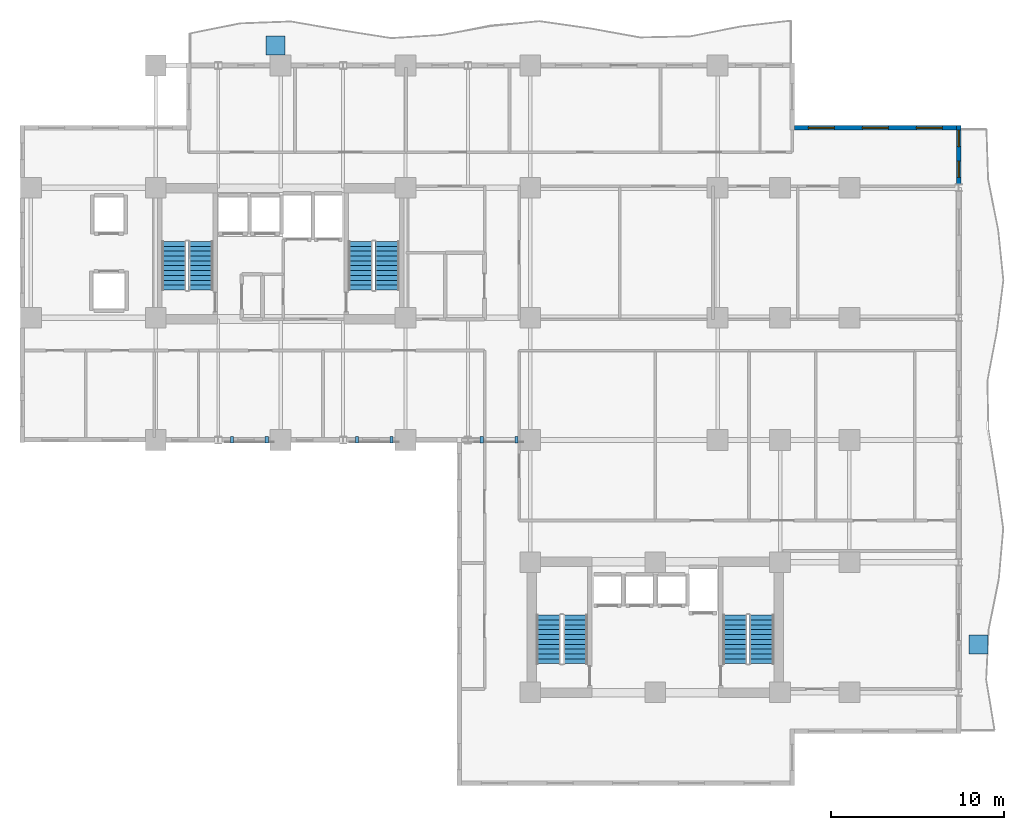
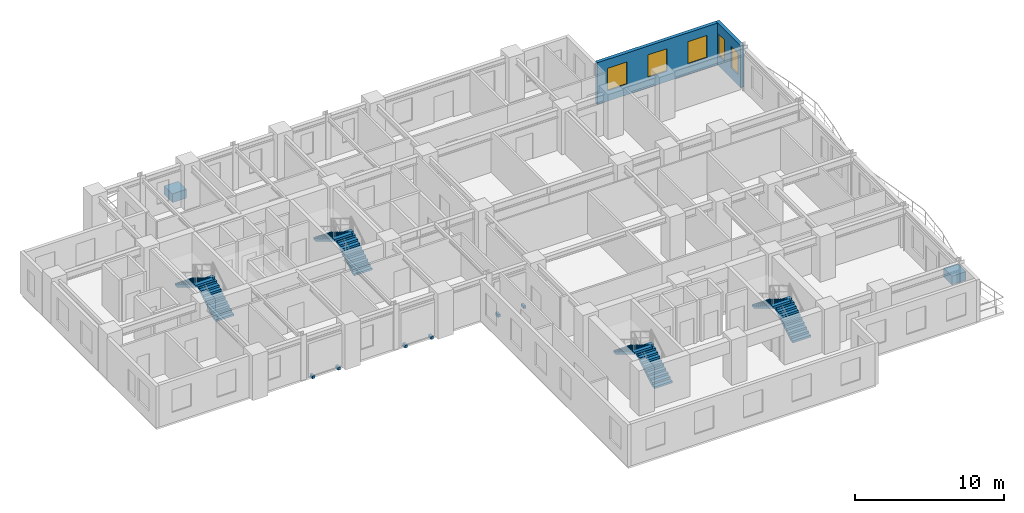
# One storey, part 8 of 11: 8 discrete accessories, 8 stair flights, 5 windows, 2 walls, 5 openings, 4 elements without a shape of their own.
"""IFC4 building model written with IfcOpenShell, lengths in metres."""

from ifc_helpers import new_model, si_unit, direction, frame, frame_2d, origin, origin_2d, place, context, subcontext, project, spatial, polyline, rectangle, outline, extrude, source, transform, mapped, material, layer, layer_set, type_object, element, fill, aggregate, save


model = new_model("IFC4")

# Units and contexts
model_context = context("Model", 3, precision=1e-05, world=origin(), true_north=direction((0.0, 1.0)))
body_context = subcontext(model_context, "Body", "Model", "MODEL_VIEW")
ifc_project = project(units=[si_unit("LENGTHUNIT", "METRE"), si_unit("AREAUNIT", "SQUARE_METRE"), si_unit("VOLUMEUNIT", "CUBIC_METRE"), si_unit("PLANEANGLEUNIT", "RADIAN"), si_unit("MASSUNIT", "GRAM", prefix="KILO")], contexts=[model_context])

# Site, building, storey
site_placement = place(None, origin())
site = spatial("IfcSite", under=ifc_project, at=site_placement, CompositionType="ELEMENT")
building_placement = place(site_placement, origin())
building = spatial("IfcBuilding", under=site, at=building_placement, Name="Kaliganga Portal Commons", CompositionType="ELEMENT")
storey_placement = place(building_placement, frame((0.0, 0.0, 111.89990234375)))
storey = spatial("IfcBuildingStorey", under=building, at=storey_placement, Name="L28", CompositionType="ELEMENT", Elevation=111.89990234375)

# Wall, openings, windows
ifc_material_1 = material(Name="Insulated Aluminium-Clad Spandrel Assembly", Category="aluminium")
ifc_layer = layer(ifc_material_1, 0.260009765625)
ifc_layer_set = layer_set([ifc_layer], Name="Insulated Aluminium-Clad Spandrel Assembly")
wall_type = type_object("IfcWallType", Name="WL-EXT-SPAND-260", PredefinedType="STANDARD", material=ifc_layer_set)
wall_1_placement = place(storey_placement, frame((60.699951171875, 39.72998046875, 0.0), z_axis=(0.0, 0.0, 1.0), x_axis=(0.0, -1.0, 0.0)))
wall_1 = element("IfcWall", 1, at=wall_1_placement, inside=storey, type_object=wall_type, Name="Exterior Envelope Wall L28 P1-E03-S6", PredefinedType="STANDARD", context=body_context, shape_type="SweptSolid", body=[
    extrude(rectangle(XDim=3.364013671875, YDim=0.260009765625, at=frame_2d((1.68212890625, 0.0))), origin(), (0.0, 0.0, 1.0), 3.43017578125),
])
opening_1_placement = place(wall_1_placement, frame((2.041259765625, 0.0, 0.85009765625)))
opening_1 = element("IfcOpeningElement", 2, at=opening_1_placement, cuts=wall_1, Name="Opening W-04", PredefinedType="OPENING", context=body_context, shape_type="SweptSolid", body=[
    extrude(rectangle(XDim=0.949951171875, YDim=1.75, at=frame_2d((0.47509765625, 0.875))), frame((0.0, 0.14013671875, 0.0), z_axis=(0.0, -1.0, 0.0), x_axis=(1.0, 0.0, 0.0)), (0.0, 0.0, 1.0), 0.280029296875),
])
opening_2_placement = place(wall_1_placement, frame((0.26513671875, 0.0, 0.85009765625)))
opening_2 = element("IfcOpeningElement", 3, at=opening_2_placement, cuts=wall_1, Name="Opening W-04", PredefinedType="OPENING", context=body_context, shape_type="SweptSolid", body=[
    extrude(rectangle(XDim=0.949951171875, YDim=1.75, at=frame_2d((0.47509765625, 0.875))), frame((0.0, 0.14013671875, 0.0), z_axis=(0.0, -1.0, 0.0), x_axis=(1.0, 0.0, 0.0)), (0.0, 0.0, 1.0), 0.280029296875),
])
ifc_material_2 = material(Name="Thermally Broken Aluminium and Low-E Double Glazing", Category="aluminium")
window_type_1 = type_object("IfcWindowType", Name="WIN-NARROW-950", PartitioningType="SINGLE_PANEL", PredefinedType="WINDOW", material=ifc_material_2)
window_1_placement = place(opening_1_placement, origin())
window_1 = element("IfcWindow", 4, at=window_1_placement, inside=storey, type_object=window_type_1, Name="Facade Window L28-P1E03S6-N2", OverallHeight=1.75, OverallWidth=0.949951171875, PartitioningType="SINGLE_PANEL", PredefinedType="WINDOW", context=body_context, shape_type="SweptSolid", body=[
    extrude(rectangle(XDim=0.949951171875, YDim=1.75, at=frame_2d((0.47509765625, 0.875))), frame((0.0, 0.030029296875, 0.0), z_axis=(0.0, -1.0, 0.0), x_axis=(1.0, 0.0, 0.0)), (0.0, 0.0, 1.0), 0.06005859375),
])
fill(opening_1, window_1)
window_2_placement = place(opening_2_placement, origin())
window_2 = element("IfcWindow", 5, at=window_2_placement, inside=storey, type_object=window_type_1, Name="Facade Window L28-P1E03S6-N9", OverallHeight=1.75, OverallWidth=0.949951171875, PartitioningType="SINGLE_PANEL", PredefinedType="WINDOW", context=body_context, shape_type="SweptSolid", body=[
    extrude(rectangle(XDim=0.949951171875, YDim=1.75, at=frame_2d((0.47509765625, 0.875))), frame((0.0, 0.030029296875, 0.0), z_axis=(0.0, -1.0, 0.0), x_axis=(1.0, 0.0, 0.0)), (0.0, 0.0, 1.0), 0.06005859375),
])
fill(opening_2, window_2)

wall_2_placement = place(storey_placement, frame((51.235107421875, 39.60009765625, 0.0), z_axis=(0.0, 0.0, 1.0), x_axis=(1.0, 0.0, 0.0)))
wall_2 = element("IfcWall", 6, at=wall_2_placement, inside=storey, type_object=wall_type, Name="Exterior Envelope Wall L28 P1-E04-S1", PredefinedType="STANDARD", context=body_context, shape_type="SweptSolid", body=[
    extrude(rectangle(XDim=9.329833984375, YDim=0.260009765625, at=frame_2d((4.6650390625, 0.0))), origin(), (0.0, 0.0, 1.0), 3.43017578125),
])
opening_3_placement = place(wall_2_placement, frame((0.804931640625, 0.0, 0.85009765625)))
opening_3 = element("IfcOpeningElement", 7, at=opening_3_placement, cuts=wall_2, Name="Opening W-02", PredefinedType="OPENING", context=body_context, shape_type="SweptSolid", body=[
    extrude(rectangle(XDim=1.5, YDim=1.85009765625, at=frame_2d((0.75, 0.925048828125))), frame((0.0, 0.14013671875, 0.0), z_axis=(0.0, -1.0, 0.0), x_axis=(1.0, 0.0, 0.0)), (0.0, 0.0, 1.0), 0.280029296875),
])
opening_4_placement = place(wall_2_placement, frame((3.9150390625, 0.0, 0.85009765625)))
opening_4 = element("IfcOpeningElement", 8, at=opening_4_placement, cuts=wall_2, Name="Opening W-02", PredefinedType="OPENING", context=body_context, shape_type="SweptSolid", body=[
    extrude(rectangle(XDim=1.5, YDim=1.85009765625, at=frame_2d((0.75, 0.925048828125))), frame((0.0, 0.14013671875, 0.0), z_axis=(0.0, -1.0, 0.0), x_axis=(1.0, 0.0, 0.0)), (0.0, 0.0, 1.0), 0.280029296875),
])
opening_5_placement = place(wall_2_placement, frame((7.02490234375, 0.0, 0.85009765625)))
opening_5 = element("IfcOpeningElement", 9, at=opening_5_placement, cuts=wall_2, Name="Opening W-02", PredefinedType="OPENING", context=body_context, shape_type="SweptSolid", body=[
    extrude(rectangle(XDim=1.5, YDim=1.85009765625, at=frame_2d((0.75, 0.925048828125))), frame((0.0, 0.14013671875, 0.0), z_axis=(0.0, -1.0, 0.0), x_axis=(1.0, 0.0, 0.0)), (0.0, 0.0, 1.0), 0.280029296875),
])
window_type_2 = type_object("IfcWindowType", Name="WIN-STD-1500", PartitioningType="DOUBLE_PANEL_VERTICAL", PredefinedType="WINDOW", material=ifc_material_2)
window_3_placement = place(opening_3_placement, origin())
window_3 = element("IfcWindow", 10, at=window_3_placement, inside=storey, type_object=window_type_2, Name="Facade Window L28-P1E04S1-00", OverallHeight=1.85009765625, OverallWidth=1.5, PartitioningType="SINGLE_PANEL", PredefinedType="WINDOW", context=body_context, shape_type="SweptSolid", body=[
    extrude(rectangle(XDim=1.5, YDim=1.85009765625, at=frame_2d((0.75, 0.925048828125))), frame((0.0, 0.030029296875, 0.0), z_axis=(0.0, -1.0, 0.0), x_axis=(1.0, 0.0, 0.0)), (0.0, 0.0, 1.0), 0.06005859375),
])
fill(opening_3, window_3)
window_4_placement = place(opening_4_placement, origin())
window_4 = element("IfcWindow", 11, at=window_4_placement, inside=storey, type_object=window_type_2, Name="Facade Window L28-P1E04S1-01", OverallHeight=1.85009765625, OverallWidth=1.5, PartitioningType="SINGLE_PANEL", PredefinedType="WINDOW", context=body_context, shape_type="SweptSolid", body=[
    extrude(rectangle(XDim=1.5, YDim=1.85009765625, at=frame_2d((0.75, 0.925048828125))), frame((0.0, 0.030029296875, 0.0), z_axis=(0.0, -1.0, 0.0), x_axis=(1.0, 0.0, 0.0)), (0.0, 0.0, 1.0), 0.06005859375),
])
fill(opening_4, window_4)
window_5_placement = place(opening_5_placement, origin())
window_5 = element("IfcWindow", 12, at=window_5_placement, inside=storey, type_object=window_type_2, Name="Facade Window L28-P1E04S1-02", OverallHeight=1.85009765625, OverallWidth=1.5, PartitioningType="SINGLE_PANEL", PredefinedType="WINDOW", context=body_context, shape_type="SweptSolid", body=[
    extrude(rectangle(XDim=1.5, YDim=1.85009765625, at=frame_2d((0.75, 0.925048828125))), frame((0.0, 0.030029296875, 0.0), z_axis=(0.0, -1.0, 0.0), x_axis=(1.0, 0.0, 0.0)), (0.0, 0.0, 1.0), 0.06005859375),
])
fill(opening_5, window_5)

# Stair, stair flights
ifc_material_3 = material(Name="Concrete C40/50", Category="concrete")
stair_type = type_object("IfcStairType", Name="ST-CORE-DOGLEG", PredefinedType="HALF_TURN_STAIR", material=ifc_material_3)
stair_1_placement = place(storey_placement, origin())
stair_1 = element("IfcStair", 13, at=stair_1_placement, inside=storey, type_object=stair_type, Name="L28 Protected Exit Stair ST-A1", PredefinedType="HALF_TURN_STAIR")
stair_flight_type = type_object("IfcStairFlightType", Name="STF-RC-1400", PredefinedType="STRAIGHT", material=ifc_material_3)
stair_flight_1_placement = place(storey_placement, frame((17.0, 30.25, 0.0), z_axis=(0.0, 0.0, 1.0), x_axis=(0.0, 1.0, 0.0)))
stair_flight_1 = element("IfcStairFlight", 14, at=stair_flight_1_placement, type_object=stair_flight_type, Name="ST-A1 flight 1", NumberOfRisers=11, NumberOfTreads=10, PredefinedType="STRAIGHT", RiserHeight=0.168181818, TreadLength=0.28, context=body_context, shape_type="SweptSolid", body=[
    extrude(outline(polyline([(0.0, 0.0), (0.0, 0.168212890625), (0.280029296875, 0.168212890625), (0.280029296875, 0.33642578125), (0.56005859375, 0.33642578125), (0.56005859375, 0.504638671875), (0.840087890625, 0.504638671875), (0.840087890625, 0.672607421875), (1.1201171875, 0.672607421875), (1.1201171875, 0.8408203125), (1.39990234375, 0.8408203125), (1.39990234375, 1.009033203125), (1.679931640625, 1.009033203125), (1.679931640625, 1.17724609375), (1.9599609375, 1.17724609375), (1.9599609375, 1.345458984375), (2.239990234375, 1.345458984375), (2.239990234375, 1.513671875), (2.52001953125, 1.513671875), (2.52001953125, 1.681884765625), (2.800048828125, 1.681884765625), (2.800048828125, 1.85009765625), (2.800048828125, 1.5068359375), (0.291015625, 0.0), (0.0, 0.0)])), frame((0.0, 0.699951171875, 0.0), z_axis=(0.0, -1.0, 0.0), x_axis=(1.0, 0.0, 0.0)), (0.0, 0.0, 1.0), 1.39990234375),
])
stair_flight_2_placement = place(storey_placement, frame((15.449951171875, 33.050048828125, 1.85009765625), z_axis=(0.0, 0.0, 1.0), x_axis=(0.0, -1.0, 0.0)))
stair_flight_2 = element("IfcStairFlight", 15, at=stair_flight_2_placement, type_object=stair_flight_type, Name="ST-A1 flight 2", NumberOfRisers=11, NumberOfTreads=10, PredefinedType="STRAIGHT", RiserHeight=0.168181818, TreadLength=0.28, context=body_context, shape_type="SweptSolid", body=[
    extrude(outline(polyline([(0.0, 0.0), (0.0, 0.168212890625), (0.280029296875, 0.168212890625), (0.280029296875, 0.33642578125), (0.56005859375, 0.33642578125), (0.56005859375, 0.504638671875), (0.840087890625, 0.504638671875), (0.840087890625, 0.672607421875), (1.1201171875, 0.672607421875), (1.1201171875, 0.8408203125), (1.39990234375, 0.8408203125), (1.39990234375, 1.009033203125), (1.679931640625, 1.009033203125), (1.679931640625, 1.17724609375), (1.9599609375, 1.17724609375), (1.9599609375, 1.345458984375), (2.239990234375, 1.345458984375), (2.239990234375, 1.513671875), (2.52001953125, 1.513671875), (2.52001953125, 1.681884765625), (2.800048828125, 1.681884765625), (2.800048828125, 1.85009765625), (2.800048828125, 1.5068359375), (0.291015625, 0.0), (0.0, 0.0)])), frame((0.0, 0.699951171875, 0.0), z_axis=(0.0, -1.0, 0.0), x_axis=(1.0, 0.0, 0.0)), (0.0, 0.0, 1.0), 1.39990234375),
])
aggregate(stair_1, [stair_flight_1, stair_flight_2])

stair_2_placement = place(storey_placement, origin())
stair_2 = element("IfcStair", 16, at=stair_2_placement, inside=storey, type_object=stair_type, Name="L28 Protected Exit Stair ST-A2", PredefinedType="HALF_TURN_STAIR")
stair_flight_3_placement = place(storey_placement, frame((27.75, 30.25, 0.0), z_axis=(0.0, 0.0, 1.0), x_axis=(0.0, 1.0, 0.0)))
stair_flight_3 = element("IfcStairFlight", 17, at=stair_flight_3_placement, type_object=stair_flight_type, Name="ST-A2 flight 1", NumberOfRisers=11, NumberOfTreads=10, PredefinedType="STRAIGHT", RiserHeight=0.168181818, TreadLength=0.28, context=body_context, shape_type="SweptSolid", body=[
    extrude(outline(polyline([(0.0, 0.0), (0.0, 0.168212890625), (0.280029296875, 0.168212890625), (0.280029296875, 0.33642578125), (0.56005859375, 0.33642578125), (0.56005859375, 0.504638671875), (0.840087890625, 0.504638671875), (0.840087890625, 0.672607421875), (1.1201171875, 0.672607421875), (1.1201171875, 0.8408203125), (1.39990234375, 0.8408203125), (1.39990234375, 1.009033203125), (1.679931640625, 1.009033203125), (1.679931640625, 1.17724609375), (1.9599609375, 1.17724609375), (1.9599609375, 1.345458984375), (2.239990234375, 1.345458984375), (2.239990234375, 1.513671875), (2.52001953125, 1.513671875), (2.52001953125, 1.681884765625), (2.800048828125, 1.681884765625), (2.800048828125, 1.85009765625), (2.800048828125, 1.5068359375), (0.291015625, 0.0), (0.0, 0.0)])), frame((0.0, 0.699951171875, 0.0), z_axis=(0.0, -1.0, 0.0), x_axis=(1.0, 0.0, 0.0)), (0.0, 0.0, 1.0), 1.39990234375),
])
stair_flight_4_placement = place(storey_placement, frame((26.199951171875, 33.050048828125, 1.85009765625), z_axis=(0.0, 0.0, 1.0), x_axis=(0.0, -1.0, 0.0)))
stair_flight_4 = element("IfcStairFlight", 18, at=stair_flight_4_placement, type_object=stair_flight_type, Name="ST-A2 flight 2", NumberOfRisers=11, NumberOfTreads=10, PredefinedType="STRAIGHT", RiserHeight=0.168181818, TreadLength=0.28, context=body_context, shape_type="SweptSolid", body=[
    extrude(outline(polyline([(0.0, 0.0), (0.0, 0.168212890625), (0.280029296875, 0.168212890625), (0.280029296875, 0.33642578125), (0.56005859375, 0.33642578125), (0.56005859375, 0.504638671875), (0.840087890625, 0.504638671875), (0.840087890625, 0.672607421875), (1.1201171875, 0.672607421875), (1.1201171875, 0.8408203125), (1.39990234375, 0.8408203125), (1.39990234375, 1.009033203125), (1.679931640625, 1.009033203125), (1.679931640625, 1.17724609375), (1.9599609375, 1.17724609375), (1.9599609375, 1.345458984375), (2.239990234375, 1.345458984375), (2.239990234375, 1.513671875), (2.52001953125, 1.513671875), (2.52001953125, 1.681884765625), (2.800048828125, 1.681884765625), (2.800048828125, 1.85009765625), (2.800048828125, 1.5068359375), (0.291015625, 0.0), (0.0, 0.0)])), frame((0.0, 0.699951171875, 0.0), z_axis=(0.0, -1.0, 0.0), x_axis=(1.0, 0.0, 0.0)), (0.0, 0.0, 1.0), 1.39990234375),
])
aggregate(stair_2, [stair_flight_3, stair_flight_4])

stair_3_placement = place(storey_placement, origin())
stair_3 = element("IfcStair", 19, at=stair_3_placement, inside=storey, type_object=stair_type, Name="L28 Protected Exit Stair ST-B1", PredefinedType="HALF_TURN_STAIR")
stair_flight_5_placement = place(storey_placement, frame((38.60009765625, 8.699951171875, 0.0), z_axis=(0.0, 0.0, 1.0), x_axis=(0.0, 1.0, 0.0)))
stair_flight_5 = element("IfcStairFlight", 20, at=stair_flight_5_placement, type_object=stair_flight_type, Name="ST-B1 flight 1", NumberOfRisers=11, NumberOfTreads=10, PredefinedType="STRAIGHT", RiserHeight=0.168181818, TreadLength=0.28, context=body_context, shape_type="SweptSolid", body=[
    extrude(outline(polyline([(0.0, 0.0), (0.0, 0.168212890625), (0.280029296875, 0.168212890625), (0.280029296875, 0.33642578125), (0.56005859375, 0.33642578125), (0.56005859375, 0.504638671875), (0.840087890625, 0.504638671875), (0.840087890625, 0.672607421875), (1.1201171875, 0.672607421875), (1.1201171875, 0.8408203125), (1.39990234375, 0.8408203125), (1.39990234375, 1.009033203125), (1.679931640625, 1.009033203125), (1.679931640625, 1.17724609375), (1.9599609375, 1.17724609375), (1.9599609375, 1.345458984375), (2.239990234375, 1.345458984375), (2.239990234375, 1.513671875), (2.52001953125, 1.513671875), (2.52001953125, 1.681884765625), (2.800048828125, 1.681884765625), (2.800048828125, 1.85009765625), (2.800048828125, 1.5068359375), (0.291015625, 0.0), (0.0, 0.0)])), frame((0.0, 0.699951171875, 0.0), z_axis=(0.0, -1.0, 0.0), x_axis=(1.0, 0.0, 0.0)), (0.0, 0.0, 1.0), 1.39990234375),
])
stair_flight_6_placement = place(storey_placement, frame((37.050048828125, 11.5, 1.85009765625), z_axis=(0.0, 0.0, 1.0), x_axis=(0.0, -1.0, 0.0)))
stair_flight_6 = element("IfcStairFlight", 21, at=stair_flight_6_placement, type_object=stair_flight_type, Name="ST-B1 flight 2", NumberOfRisers=11, NumberOfTreads=10, PredefinedType="STRAIGHT", RiserHeight=0.168181818, TreadLength=0.28, context=body_context, shape_type="SweptSolid", body=[
    extrude(outline(polyline([(0.0, 0.0), (0.0, 0.168212890625), (0.280029296875, 0.168212890625), (0.280029296875, 0.33642578125), (0.56005859375, 0.33642578125), (0.56005859375, 0.504638671875), (0.840087890625, 0.504638671875), (0.840087890625, 0.672607421875), (1.1201171875, 0.672607421875), (1.1201171875, 0.8408203125), (1.39990234375, 0.8408203125), (1.39990234375, 1.009033203125), (1.679931640625, 1.009033203125), (1.679931640625, 1.17724609375), (1.9599609375, 1.17724609375), (1.9599609375, 1.345458984375), (2.239990234375, 1.345458984375), (2.239990234375, 1.513671875), (2.52001953125, 1.513671875), (2.52001953125, 1.681884765625), (2.800048828125, 1.681884765625), (2.800048828125, 1.85009765625), (2.800048828125, 1.5068359375), (0.291015625, 0.0), (0.0, 0.0)])), frame((0.0, 0.699951171875, 0.0), z_axis=(0.0, -1.0, 0.0), x_axis=(1.0, 0.0, 0.0)), (0.0, 0.0, 1.0), 1.39990234375),
])
aggregate(stair_3, [stair_flight_5, stair_flight_6])

stair_4_placement = place(storey_placement, origin())
stair_4 = element("IfcStair", 22, at=stair_4_placement, inside=storey, type_object=stair_type, Name="L28 Protected Exit Stair ST-B2", PredefinedType="HALF_TURN_STAIR")
stair_flight_7_placement = place(storey_placement, frame((49.35009765625, 8.699951171875, 0.0), z_axis=(0.0, 0.0, 1.0), x_axis=(0.0, 1.0, 0.0)))
stair_flight_7 = element("IfcStairFlight", 23, at=stair_flight_7_placement, type_object=stair_flight_type, Name="ST-B2 flight 1", NumberOfRisers=11, NumberOfTreads=10, PredefinedType="STRAIGHT", RiserHeight=0.168181818, TreadLength=0.28, context=body_context, shape_type="SweptSolid", body=[
    extrude(outline(polyline([(0.0, 0.0), (0.0, 0.168212890625), (0.280029296875, 0.168212890625), (0.280029296875, 0.33642578125), (0.56005859375, 0.33642578125), (0.56005859375, 0.504638671875), (0.840087890625, 0.504638671875), (0.840087890625, 0.672607421875), (1.1201171875, 0.672607421875), (1.1201171875, 0.8408203125), (1.39990234375, 0.8408203125), (1.39990234375, 1.009033203125), (1.679931640625, 1.009033203125), (1.679931640625, 1.17724609375), (1.9599609375, 1.17724609375), (1.9599609375, 1.345458984375), (2.239990234375, 1.345458984375), (2.239990234375, 1.513671875), (2.52001953125, 1.513671875), (2.52001953125, 1.681884765625), (2.800048828125, 1.681884765625), (2.800048828125, 1.85009765625), (2.800048828125, 1.5068359375), (0.291015625, 0.0), (0.0, 0.0)])), frame((0.0, 0.699951171875, 0.0), z_axis=(0.0, -1.0, 0.0), x_axis=(1.0, 0.0, 0.0)), (0.0, 0.0, 1.0), 1.39990234375),
])
stair_flight_8_placement = place(storey_placement, frame((47.800048828125, 11.5, 1.85009765625), z_axis=(0.0, 0.0, 1.0), x_axis=(0.0, -1.0, 0.0)))
stair_flight_8 = element("IfcStairFlight", 24, at=stair_flight_8_placement, type_object=stair_flight_type, Name="ST-B2 flight 2", NumberOfRisers=11, NumberOfTreads=10, PredefinedType="STRAIGHT", RiserHeight=0.168181818, TreadLength=0.28, context=body_context, shape_type="SweptSolid", body=[
    extrude(outline(polyline([(0.0, 0.0), (0.0, 0.168212890625), (0.280029296875, 0.168212890625), (0.280029296875, 0.33642578125), (0.56005859375, 0.33642578125), (0.56005859375, 0.504638671875), (0.840087890625, 0.504638671875), (0.840087890625, 0.672607421875), (1.1201171875, 0.672607421875), (1.1201171875, 0.8408203125), (1.39990234375, 0.8408203125), (1.39990234375, 1.009033203125), (1.679931640625, 1.009033203125), (1.679931640625, 1.17724609375), (1.9599609375, 1.17724609375), (1.9599609375, 1.345458984375), (2.239990234375, 1.345458984375), (2.239990234375, 1.513671875), (2.52001953125, 1.513671875), (2.52001953125, 1.681884765625), (2.800048828125, 1.681884765625), (2.800048828125, 1.85009765625), (2.800048828125, 1.5068359375), (0.291015625, 0.0), (0.0, 0.0)])), frame((0.0, 0.699951171875, 0.0), z_axis=(0.0, -1.0, 0.0), x_axis=(1.0, 0.0, 0.0)), (0.0, 0.0, 1.0), 1.39990234375),
])
aggregate(stair_4, [stair_flight_7, stair_flight_8])

# Discrete accessories
ifc_material_4 = material(Name="Precast concrete C40/50", Category="concrete")
discrete_accessory_type_1 = type_object("IfcDiscreteAccessoryType", Name="DAC-PLANTER-RC", PredefinedType="USERDEFINED", material=ifc_material_4)
shared_shape_1 = source(origin(), body_context, "Body", "SweptSolid", [
    extrude(rectangle(XDim=1.10009765625, YDim=1.10009765625, at=origin_2d()), origin(), (0.0, 0.0, 1.0), 0.719970703125),
])
for number, where, z_axis, x_axis, name in (
    (25, (21.300048828125, 44.35009765625, 0.0), (0.0, 0.0, 1.0), (1.0, 0.0, 0.0), "Structural Tree Planter L28 balc_north"),
    (26, (61.85009765625, 9.800048828125, 0.0), (0.0, 0.0, 1.0), (1.0, 0.0, 0.0), "Structural Tree Planter L28 balc_east"),
):
    element("IfcDiscreteAccessory", number, at=place(storey_placement, frame(where, z_axis=z_axis, x_axis=x_axis)), inside=storey, type_object=discrete_accessory_type_1, Name=name, ObjectType="PLANTER", PredefinedType="USERDEFINED", context=body_context, shape_type="MappedRepresentation", body=[
        mapped(shared_shape_1, transform((0.0, 0.0, 0.0), x_axis=(1.0, 0.0, 0.0), y_axis=(0.0, 1.0, 0.0), z_axis=(0.0, 0.0, 1.0), scale=1.0)),
    ])
ifc_material_5 = material(Name="Structural steel S355J2", Category="steel")
discrete_accessory_type_2 = type_object("IfcDiscreteAccessoryType", Name="DAC-BRK-SCR", PredefinedType="BRACKET", material=ifc_material_5)
shared_shape_2 = source(origin(), body_context, "Body", "SweptSolid", [
    extrude(rectangle(XDim=0.179931640625, YDim=0.360107421875, at=origin_2d()), origin(), (0.0, 0.0, 1.0), 0.219970703125),
])
for number, where, z_axis, x_axis, name in (
    (27, (18.800048828125, 21.6201171875, -0.18994140625), (0.0, 0.0, 1.0), (1.0, 0.0, 0.0), "Solar Screen Outrigger Bracket L28-S1-1"),
    (28, (20.800048828125, 21.6201171875, -0.18994140625), (0.0, 0.0, 1.0), (1.0, 0.0, 0.0), "Solar Screen Outrigger Bracket L28-S1-2"),
    (29, (26.0, 21.6201171875, -0.18994140625), (0.0, 0.0, 1.0), (1.0, 0.0, 0.0), "Solar Screen Outrigger Bracket L28-S2-1"),
    (30, (28.0, 21.6201171875, -0.18994140625), (0.0, 0.0, 1.0), (1.0, 0.0, 0.0), "Solar Screen Outrigger Bracket L28-S2-2"),
    (31, (33.199951171875, 21.6201171875, -0.18994140625), (0.0, 0.0, 1.0), (1.0, 0.0, 0.0), "Solar Screen Outrigger Bracket L28-S3-1"),
    (32, (35.199951171875, 21.6201171875, -0.18994140625), (0.0, 0.0, 1.0), (1.0, 0.0, 0.0), "Solar Screen Outrigger Bracket L28-S3-2"),
):
    element("IfcDiscreteAccessory", number, at=place(storey_placement, frame(where, z_axis=z_axis, x_axis=x_axis)), inside=storey, type_object=discrete_accessory_type_2, Name=name, PredefinedType="BRACKET", context=body_context, shape_type="MappedRepresentation", body=[
        mapped(shared_shape_2, transform((0.0, 0.0, 0.0), x_axis=(1.0, 0.0, 0.0), y_axis=(0.0, 1.0, 0.0), z_axis=(0.0, 0.0, 1.0), scale=1.0)),
    ])

save(model, "model.ifc")
